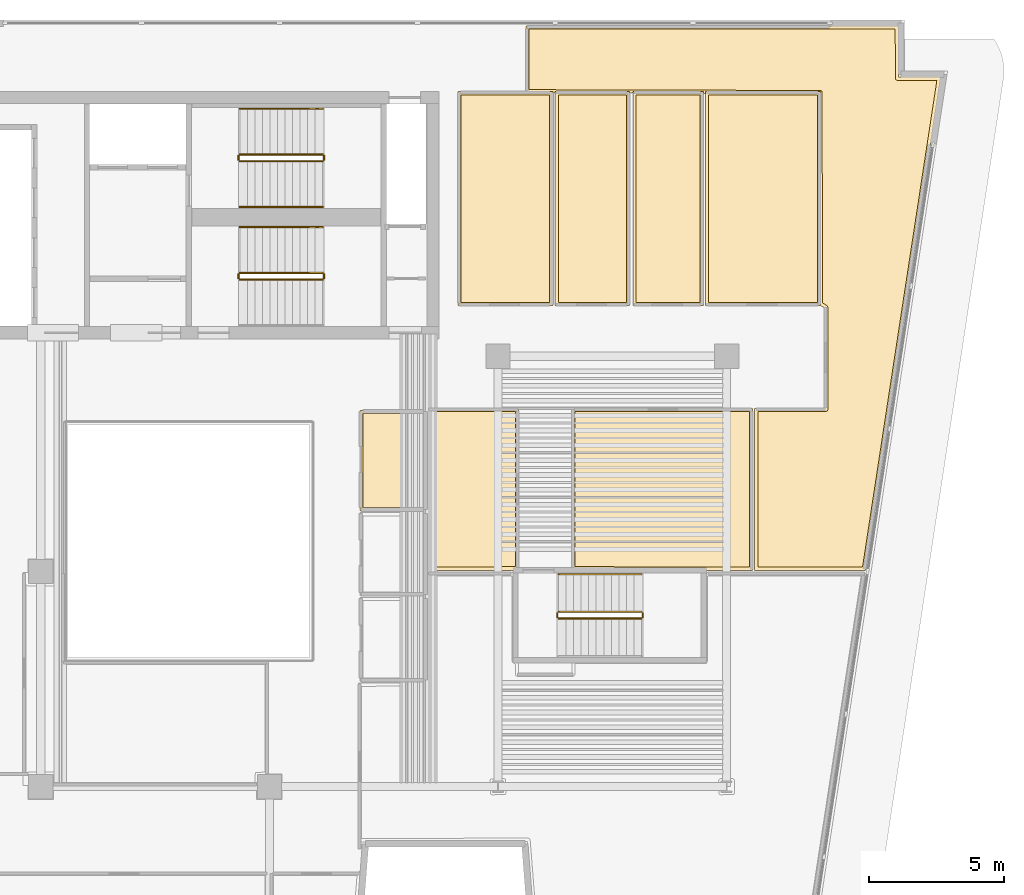
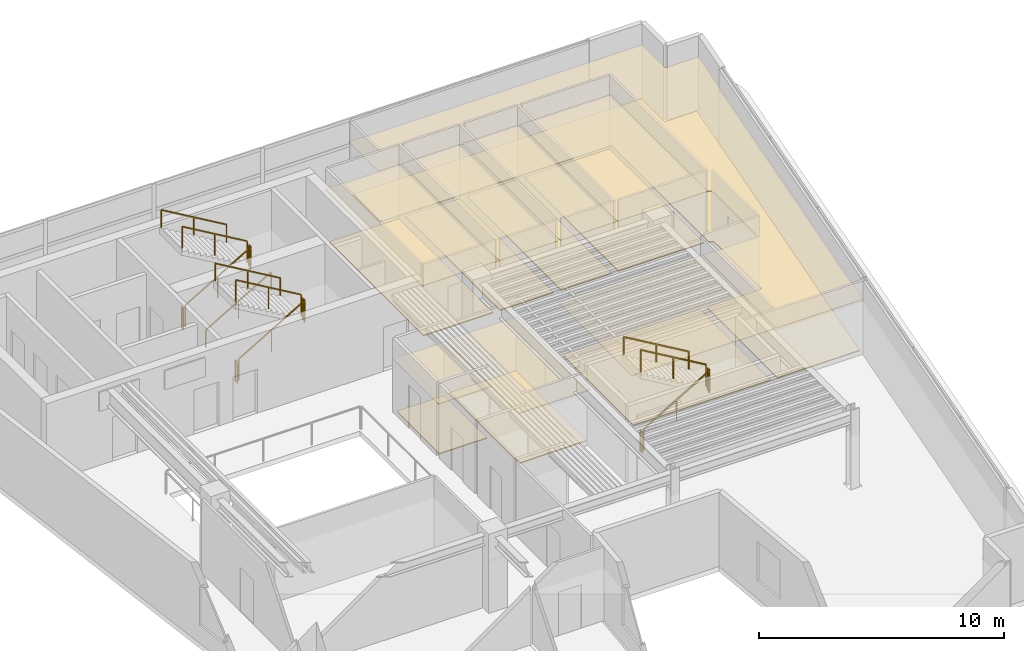
# One storey, part 8 of 8: 16 coverings, 16 railings.
"""IFC4 building model written with IfcOpenShell, lengths in metres."""

import ifcopenshell
import ifcopenshell.guid

model = None  # the IFC model being written
_history = None  # IfcOwnerHistory: only IFC2X3 demands one
_inside = {}  # id of a spatial element -> (the spatial element, [elements in it])
_under = {}  # id of a project, library or spatial element -> (it, [spatial elements below it])
_declared = {}  # id of a project -> (the project, [libraries it declares])
_typed = {}  # id of a type object -> (the type object, [elements of that type])
_made_of = {}  # id of a material, layer set ... -> (it, [elements and type objects made of it])


def new_model(schema):
    """Start an empty IFC model of exactly this schema.

    Asked for "IFC4X3", IfcOpenShell would pick the latest addendum, in which some entities
    have other attributes; the version numbers below select the first issue.
    IFC2X3 requires an IfcOwnerHistory on every rooted entity: one is made here for all.
    """
    global model, _history
    if schema == "IFC4X3":
        model = ifcopenshell.file(schema_version=(4, 3, 0, 0))
    else:
        model = ifcopenshell.file(schema=schema)
    _inside.clear()
    _under.clear()
    _declared.clear()
    _typed.clear()
    _made_of.clear()
    _history = None
    if model.schema == "IFC2X3":
        org = make("IfcOrganization", Name="unknown")
        user = make(
            "IfcPersonAndOrganization",
            ThePerson=make("IfcPerson", FamilyName="unknown"),
            TheOrganization=org,
        )
        app = make(
            "IfcApplication",
            ApplicationDeveloper=org,
            Version="unknown",
            ApplicationFullName="unknown",
            ApplicationIdentifier="unknown",
        )
        _history = make(
            "IfcOwnerHistory",
            OwningUser=user,
            OwningApplication=app,
            ChangeAction="ADDED",
            CreationDate=0,
        )
    return model


def make(cls, **values):
    """One entity of the class cls with the attributes given. An attribute that is None is left unset."""
    return model.create_entity(
        cls, **{name: value for name, value in values.items() if value is not None}
    )


def rooted(cls, **values):
    """An entity with a GlobalId (a new one), such as an element, a storey or a relation."""
    return make(cls, GlobalId=ifcopenshell.guid.new(), OwnerHistory=_history, **values)


def si_unit(unit_type, name, prefix=None):
    """IfcSIUnit, for example si_unit("LENGTHUNIT", "METRE", prefix="MILLI")."""
    return make("IfcSIUnit", UnitType=unit_type, Prefix=prefix, Name=name)


def assignment(units):
    """IfcUnitAssignment: the units of a project."""
    return None if units is None else make("IfcUnitAssignment", Units=units)


def point(xyz):
    """IfcCartesianPoint."""
    return None if xyz is None else make("IfcCartesianPoint", Coordinates=xyz)


def direction(xyz):
    """IfcDirection."""
    return None if xyz is None else make("IfcDirection", DirectionRatios=xyz)


def frame(location, z_axis=None, x_axis=None):
    """IfcAxis2Placement3D, a coordinate frame: its origin and axes. An axis left out is left unset."""
    return make(
        "IfcAxis2Placement3D",
        Location=point(location),
        Axis=direction(z_axis),
        RefDirection=direction(x_axis),
    )


def frame_2d(location, x_axis=None):
    """IfcAxis2Placement2D, a coordinate frame in the plane: its origin and x axis."""
    return make(
        "IfcAxis2Placement2D", Location=point(location), RefDirection=direction(x_axis)
    )


def origin():
    """The frame at (0, 0, 0) with its axes left unset."""
    return frame((0.0, 0.0, 0.0))


def origin_2d():
    """The frame at (0, 0) in the plane with its x axis left unset."""
    return frame_2d((0.0, 0.0))


def place(relative_to, where):
    """IfcLocalPlacement: puts the frame where relative to a parent placement (None: the world)."""
    return make(
        "IfcLocalPlacement", PlacementRelTo=relative_to, RelativePlacement=where
    )


def context(
    kind, dimensions, precision=None, world=None, true_north=None, identifier=None
):
    """IfcGeometricRepresentationContext, for example the 3D "Model" context."""
    return make(
        "IfcGeometricRepresentationContext",
        ContextIdentifier=identifier,
        ContextType=kind,
        CoordinateSpaceDimension=dimensions,
        Precision=precision,
        WorldCoordinateSystem=world,
        TrueNorth=true_north,
    )


def subcontext(parent, identifier, kind, view, scale=None):
    """IfcGeometricRepresentationSubContext, for example "Body" below "Model"."""
    return make(
        "IfcGeometricRepresentationSubContext",
        ContextIdentifier=identifier,
        ContextType=kind,
        ParentContext=parent,
        TargetScale=scale,
        TargetView=view,
    )


def project(units=None, contexts=None):
    """IfcProject with its units and contexts."""
    return rooted(
        "IfcProject",
        Name="project",
        RepresentationContexts=contexts,
        UnitsInContext=assignment(units),
    )


def spatial(cls, under=None, at=None, **own):
    """A site, building, storey or space (cls), placed at a placement, below another one or the project."""
    s = rooted(cls, ObjectPlacement=at, **own)
    if under is not None:
        _under.setdefault(under.id(), (under, []))[1].append(s)
    return s


def polyline(points):
    """IfcPolyline through the points."""
    return make("IfcPolyline", Points=[point(p) for p in points])


def profile(cls, at=None, kind="AREA", **sizes):
    """A parametric profile (cls). Its sizes go by their IFC names, for example OverallWidth=200.0."""
    return make(cls, ProfileType=kind, Position=at, **sizes)


def rectangle(**sizes):
    """IfcRectangleProfileDef."""
    return profile("IfcRectangleProfileDef", **sizes)


def outline(outer, holes=None, kind="AREA"):
    """IfcArbitraryClosedProfileDef: a profile drawn as a closed curve; with holes, ...WithVoids."""
    if holes is None:
        return make("IfcArbitraryClosedProfileDef", ProfileType=kind, OuterCurve=outer)
    return make(
        "IfcArbitraryProfileDefWithVoids",
        ProfileType=kind,
        OuterCurve=outer,
        InnerCurves=holes,
    )


def extrude(swept, where, along, depth):
    """IfcExtrudedAreaSolid: the profile swept, set in the frame where, extruded along a direction by depth."""
    return make(
        "IfcExtrudedAreaSolid",
        SweptArea=swept,
        Position=where,
        ExtrudedDirection=direction(along),
        Depth=depth,
    )


def shape(context_of_items, identifier, shape_type, items):
    """IfcShapeRepresentation: the items that make up one representation, for example the "Body"."""
    return make(
        "IfcShapeRepresentation",
        ContextOfItems=context_of_items,
        RepresentationIdentifier=identifier,
        RepresentationType=shape_type,
        Items=items,
    )


def material(Name=None, Category=None):
    """IfcMaterial."""
    return make("IfcMaterial", Name=Name, Category=Category)


def layer(
    of_material, thickness, ventilated=None, Name=None, Category=None, Priority=None
):
    """IfcMaterialLayer: one layer of a wall or slab, of a material (None: an air gap)."""
    return make(
        "IfcMaterialLayer",
        Material=of_material,
        LayerThickness=thickness,
        IsVentilated=ventilated,
        Name=Name,
        Category=Category,
        Priority=Priority,
    )


def layer_set(layers, Name=None):
    """IfcMaterialLayerSet."""
    return make("IfcMaterialLayerSet", MaterialLayers=layers, LayerSetName=Name)


def made_of(thing, what):
    """Note that an element or type object is made of a material, layer set ...; save() writes the relation."""
    if what is not None:
        _made_of.setdefault(what.id(), (what, []))[1].append(thing)
    return thing


def type_object(cls, material=None, **own):
    """A type object (cls), such as IfcWallType, which elements share."""
    return made_of(rooted(cls, **own), material)


def element(
    cls,
    number,
    at=None,
    inside=None,
    cuts=None,
    type_object=None,
    material=None,
    context=None,
    identifier="Body",
    shape_type=None,
    held_by="IfcProductDefinitionShape",
    body=None,
    shapes=None,
    **own,
):
    """One element of the class cls, such as IfcWall. Its Tag is "e" and its number.

    at: its placement. inside: the storey or other place that contains it. cuts: it is an
    opening in that element (IfcRelVoidsElement). A single representation is given by context,
    identifier, shape_type and body (its items); several are given by shapes. held_by: the class
    of the entity that holds the representations. save() writes the other relations.
    """
    e = rooted(cls, Tag="e%d" % number, ObjectPlacement=at, **own)
    if body is not None:
        shapes = [shape(context, identifier, shape_type, body)]
    if shapes is not None:
        e.Representation = make(held_by, Representations=shapes)
    if inside is not None:
        _inside.setdefault(inside.id(), (inside, []))[1].append(e)
    if cuts is not None:
        rooted(
            "IfcRelVoidsElement", RelatingBuildingElement=cuts, RelatedOpeningElement=e
        )
    if type_object is not None:
        _typed.setdefault(type_object.id(), (type_object, []))[1].append(e)
    return made_of(e, material)


def aggregate(whole, parts):
    """IfcRelAggregates: a whole, such as a stair, and the parts it consists of."""
    return rooted("IfcRelAggregates", RelatingObject=whole, RelatedObjects=parts)


def save(model, path):
    """Write the relations noted so far, then the file.

    IfcRelAggregates (storeys below a building ...), IfcRelContainedInSpatialStructure (elements
    in a storey), IfcRelDefinesByType, IfcRelAssociatesMaterial and IfcRelDeclares: one each for
    every whole, place, type object, material and project.
    """
    for whole, parts in _under.values():
        aggregate(whole, parts)
    for where, things in _inside.values():
        rooted(
            "IfcRelContainedInSpatialStructure",
            RelatedElements=things,
            RelatingStructure=where,
        )
    for kind, things in _typed.values():
        rooted("IfcRelDefinesByType", RelatedObjects=things, RelatingType=kind)
    for what, things in _made_of.values():
        rooted("IfcRelAssociatesMaterial", RelatedObjects=things, RelatingMaterial=what)
    for by, libraries in _declared.values():
        rooted("IfcRelDeclares", RelatingContext=by, RelatedDefinitions=libraries)
    model.write(path)


model = new_model("IFC4")

# Units and contexts
model_context = context("Model", 3, precision=1e-05, world=origin(), true_north=direction((0.0, 1.0)))
body_context = subcontext(model_context, "Body", "Model", "MODEL_VIEW")
ifc_project = project(units=[si_unit("LENGTHUNIT", "METRE"), si_unit("AREAUNIT", "SQUARE_METRE"), si_unit("VOLUMEUNIT", "CUBIC_METRE"), si_unit("PLANEANGLEUNIT", "RADIAN"), si_unit("MASSUNIT", "GRAM", prefix="KILO")], contexts=[model_context])

# Site, building, storey
site_placement = place(None, origin())
site = spatial("IfcSite", under=ifc_project, at=site_placement, CompositionType="ELEMENT")
building_placement = place(site_placement, origin())
building = spatial("IfcBuilding", under=site, at=building_placement, Name="Caeloran Harvest Quay", CompositionType="ELEMENT")
storey_placement = place(building_placement, frame((0.0, 0.0, 235.10009765625)))
storey = spatial("IfcBuildingStorey", under=building, at=storey_placement, Name="L56", CompositionType="ELEMENT", Elevation=235.10009765625)

# Coverings
ifc_material_1 = material(Name="Perforated Mineral-Fibre Acoustic Ceiling Tile", Category="ceiling")
ifc_layer_1 = layer(ifc_material_1, 0.0400390625, Name="Perforated Mineral-Fibre Acoustic Ceiling Tile")
ifc_layer_set_1 = layer_set([ifc_layer_1], Name="Perforated Mineral-Fibre Acoustic Ceiling Tile")
covering_type_1 = type_object("IfcCoveringType", Name="COV-CEILING-ACOUSTIC", PredefinedType="CEILING", material=ifc_layer_set_1)
covering_1_placement = place(storey_placement, frame((0.0, 0.0, 2.599853515625)))
element("IfcCovering", 1, at=covering_1_placement, inside=storey, type_object=covering_type_1, Name="L56 Bioinformatics Briefing Lounge Acoustic Ceiling", PredefinedType="CEILING", context=body_context, shape_type="SweptSolid", body=[
    extrude(outline(polyline([(27.5400390625, 40.840087890625), (27.5400390625, 32.8798828125), (24.010009765625, 32.8798828125), (24.010009765625, 40.840087890625), (27.5400390625, 40.840087890625)])), origin(), (0.0, 0.0, 1.0), 0.0400390625),
])
covering_2_placement = place(storey_placement, frame((0.0, 0.0, 2.599853515625)))
element("IfcCovering", 2, at=covering_2_placement, inside=storey, type_object=covering_type_1, Name="L56 Seed Imaging Laboratory Acoustic Ceiling", PredefinedType="CEILING", context=body_context, shape_type="SweptSolid", body=[
    extrude(outline(polyline([(30.389892578125, 40.840087890625), (30.389892578125, 32.8798828125), (27.6201171875, 32.8798828125), (27.6201171875, 40.840087890625), (30.389892578125, 40.840087890625)])), origin(), (0.0, 0.0, 1.0), 0.0400390625),
])
covering_3_placement = place(storey_placement, frame((0.0, 0.0, 2.599853515625)))
element("IfcCovering", 3, at=covering_3_placement, inside=storey, type_object=covering_type_1, Name="L56 Genomics Seminar West Room Acoustic Ceiling", PredefinedType="CEILING", context=body_context, shape_type="SweptSolid", body=[
    extrude(outline(polyline([(33.1298828125, 40.840087890625), (33.1298828125, 32.8798828125), (30.510009765625, 32.8798828125), (30.510009765625, 40.840087890625), (33.1298828125, 40.840087890625)])), origin(), (0.0, 0.0, 1.0), 0.0400390625),
])
covering_4_placement = place(storey_placement, frame((0.0, 0.0, 2.599853515625)))
element("IfcCovering", 4, at=covering_4_placement, inside=storey, type_object=covering_type_1, Name="L56 Executive Archive East Studio Acoustic Ceiling", PredefinedType="CEILING", context=body_context, shape_type="SweptSolid", body=[
    extrude(outline(polyline([(37.489990234375, 40.840087890625), (37.489990234375, 32.8798828125), (33.2099609375, 32.8798828125), (33.2099609375, 40.840087890625), (37.489990234375, 40.840087890625)])), origin(), (0.0, 0.0, 1.0), 0.0400390625),
])
covering_5_placement = place(storey_placement, frame((0.0, 0.0, 2.599853515625)))
element("IfcCovering", 5, at=covering_5_placement, inside=storey, type_object=covering_type_1, Name="L56 Male Washroom WC Acoustic Ceiling", PredefinedType="CEILING", context=body_context, shape_type="SweptSolid", body=[
    extrude(outline(polyline([(22.840087890625, 28.989990234375), (22.840087890625, 25.260009765625), (20.360107421875, 25.260009765625), (20.360107421875, 28.989990234375), (22.840087890625, 28.989990234375)])), origin(), (0.0, 0.0, 1.0), 0.0400390625),
])
covering_6_placement = place(storey_placement, frame((0.0, 0.0, 2.599853515625)))
element("IfcCovering", 6, at=covering_6_placement, inside=storey, type_object=covering_type_1, Name="Terrace View Conference Room Acoustic Ceiling", PredefinedType="CEILING", context=body_context, shape_type="SweptSolid", body=[
    extrude(outline(polyline([(26.13720703125, 23.06005859375), (26.1298828125, 23.0400390625), (22.8701171875, 23.0400390625), (22.8701171875, 29.06005859375), (26.260009765625, 29.06005859375), (26.260009765625, 23.06005859375), (26.13720703125, 23.06005859375)])), origin(), (0.0, 0.0, 1.0), 0.0400390625),
])
covering_7_placement = place(storey_placement, frame((0.0, 0.0, 2.599853515625)))
element("IfcCovering", 7, at=covering_7_placement, inside=storey, type_object=covering_type_1, Name="Studio Pin-Up Lounge Acoustic Ceiling", PredefinedType="CEILING", context=body_context, shape_type="SweptSolid", body=[
    extrude(outline(polyline([(33.162841796875, 23.06005859375), (28.239990234375, 23.06005859375), (28.239990234375, 29.06005859375), (34.9599609375, 29.06005859375), (34.9599609375, 23.0400390625), (33.170166015625, 23.0400390625), (33.162841796875, 23.06005859375)])), origin(), (0.0, 0.0, 1.0), 0.0400390625),
])
covering_8_placement = place(storey_placement, frame((0.0, 0.0, 2.599853515625)))
element("IfcCovering", 8, at=covering_8_placement, inside=storey, type_object=covering_type_1, Name="Sawtooth Terrace Design Studio Office 7 Acoustic Ceiling", PredefinedType="CEILING", context=body_context, shape_type="SweptSolid", body=[
    extrude(outline(polyline([(26.5400390625, 43.280029296875), (40.3798828125, 43.280029296875), (40.3798828125, 41.3798828125), (41.95361328125, 41.3798828125), (39.151611328125, 23.0400390625), (35.0400390625, 23.0400390625), (35.0400390625, 29.06005859375), (37.639892578125, 29.06005859375), (37.639892578125, 32.79931640625), (37.43994140625, 32.909912109375), (37.43994140625, 40.760009765625), (26.5400390625, 40.7900390625), (26.5400390625, 43.280029296875)])), origin(), (0.0, 0.0, 1.0), 0.0400390625),
])
ifc_material_2 = material(Name="Calcium-Sulphate Raised Access Floor and Terrazzo Finish", Category="flooring")
ifc_layer_2 = layer(ifc_material_2, 0.050048828125, Name="Calcium-Sulphate Raised Access Floor and Terrazzo Finish")
ifc_layer_set_2 = layer_set([ifc_layer_2], Name="Calcium-Sulphate Raised Access Floor and Terrazzo Finish")
covering_type_2 = type_object("IfcCoveringType", Name="COV-FLOOR-RAISED", PredefinedType="FLOORING", material=ifc_layer_set_2)
covering_9_placement = place(storey_placement, origin())
element("IfcCovering", 9, at=covering_9_placement, inside=storey, type_object=covering_type_2, Name="L56 Bioinformatics Briefing Lounge Raised Finish Flooring", PredefinedType="FLOORING", context=body_context, shape_type="SweptSolid", body=[
    extrude(outline(polyline([(27.419921875, 40.719970703125), (27.419921875, 33.0), (24.1298828125, 33.0), (24.1298828125, 40.719970703125), (27.419921875, 40.719970703125)])), origin(), (0.0, 0.0, 1.0), 0.0498046875),
])
covering_10_placement = place(storey_placement, origin())
element("IfcCovering", 10, at=covering_10_placement, inside=storey, type_object=covering_type_2, Name="L56 Seed Imaging Laboratory Raised Finish Flooring", PredefinedType="FLOORING", context=body_context, shape_type="SweptSolid", body=[
    extrude(outline(polyline([(30.27001953125, 40.719970703125), (30.27001953125, 33.0), (27.739990234375, 33.0), (27.739990234375, 40.719970703125), (30.27001953125, 40.719970703125)])), origin(), (0.0, 0.0, 1.0), 0.0498046875),
])
covering_11_placement = place(storey_placement, origin())
element("IfcCovering", 11, at=covering_11_placement, inside=storey, type_object=covering_type_2, Name="L56 Genomics Seminar West Room Raised Finish Flooring", PredefinedType="FLOORING", context=body_context, shape_type="SweptSolid", body=[
    extrude(outline(polyline([(33.010009765625, 40.719970703125), (33.010009765625, 33.0), (30.6298828125, 33.0), (30.6298828125, 40.719970703125), (33.010009765625, 40.719970703125)])), origin(), (0.0, 0.0, 1.0), 0.0498046875),
])
covering_12_placement = place(storey_placement, origin())
element("IfcCovering", 12, at=covering_12_placement, inside=storey, type_object=covering_type_2, Name="L56 Executive Archive East Studio Raised Finish Flooring", PredefinedType="FLOORING", context=body_context, shape_type="SweptSolid", body=[
    extrude(outline(polyline([(37.3701171875, 40.719970703125), (37.3701171875, 33.0), (33.330078125, 33.0), (33.330078125, 40.719970703125), (37.3701171875, 40.719970703125)])), origin(), (0.0, 0.0, 1.0), 0.0498046875),
])
covering_13_placement = place(storey_placement, origin())
element("IfcCovering", 13, at=covering_13_placement, inside=storey, type_object=covering_type_2, Name="L56 Male Washroom WC Raised Finish Flooring", PredefinedType="FLOORING", context=body_context, shape_type="SweptSolid", body=[
    extrude(outline(polyline([(22.719970703125, 28.8701171875), (22.719970703125, 25.3798828125), (20.47998046875, 25.3798828125), (20.47998046875, 28.8701171875), (22.719970703125, 28.8701171875)])), origin(), (0.0, 0.0, 1.0), 0.0498046875),
])
covering_14_placement = place(storey_placement, origin())
element("IfcCovering", 14, at=covering_14_placement, inside=storey, type_object=covering_type_2, Name="Terrace View Conference Room Raised Finish Flooring", PredefinedType="FLOORING", context=body_context, shape_type="SweptSolid", body=[
    extrude(outline(polyline([(26.139892578125, 23.179931640625), (22.989990234375, 23.159912109375), (22.989990234375, 28.93994140625), (26.139892578125, 28.93994140625), (26.139892578125, 23.179931640625)])), origin(), (0.0, 0.0, 1.0), 0.0498046875),
])
covering_15_placement = place(storey_placement, origin())
element("IfcCovering", 15, at=covering_15_placement, inside=storey, type_object=covering_type_2, Name="Studio Pin-Up Lounge Raised Finish Flooring", PredefinedType="FLOORING", context=body_context, shape_type="SweptSolid", body=[
    extrude(outline(polyline([(34.840087890625, 23.159912109375), (28.360107421875, 23.179931640625), (28.360107421875, 28.93994140625), (34.840087890625, 28.93994140625), (34.840087890625, 23.159912109375)])), origin(), (0.0, 0.0, 1.0), 0.0498046875),
])
covering_16_placement = place(storey_placement, origin())
element("IfcCovering", 16, at=covering_16_placement, inside=storey, type_object=covering_type_2, Name="Sawtooth Terrace Design Studio Office 7 Raised Finish Flooring", PredefinedType="FLOORING", context=body_context, shape_type="SweptSolid", body=[
    extrude(outline(polyline([(26.659912109375, 43.159912109375), (40.260009765625, 43.159912109375), (40.2783203125, 41.289306640625), (40.340087890625, 41.260009765625), (41.813720703125, 41.260009765625), (39.048583984375, 23.159912109375), (35.159912109375, 23.159912109375), (35.159912109375, 28.93994140625), (37.679931640625, 28.93994140625), (37.736572265625, 28.96337890625), (37.759521484375, 29.01220703125), (37.759521484375, 32.830810546875), (37.72509765625, 32.888916015625), (37.56005859375, 32.980712890625), (37.546630859375, 40.844482421875), (37.480224609375, 40.8798828125), (26.659912109375, 40.909912109375), (26.659912109375, 43.159912109375)])), origin(), (0.0, 0.0, 1.0), 0.0498046875),
])

# Railings
ifc_material_3 = material(Name="Painted Steel Baluster and Top-Rail Stair Guard", Category="steel")
ifc_layer_3 = layer(ifc_material_3, 0.050048828125, Name="Painted Steel Baluster and Top-Rail Stair Guard")
ifc_layer_set_3 = layer_set([ifc_layer_3], Name="Painted Steel Baluster and Top-Rail Stair Guard")
railing_type_1 = type_object("IfcRailingType", Name="STAIR-GUARD-1100", PredefinedType="GUARDRAIL", material=ifc_layer_set_3)
railing_1_placement = place(storey_placement, frame((15.89990234375, 38.25, 0.16455078125)))
element("IfcRailing", 17, at=railing_1_placement, inside=storey, type_object=railing_type_1, Name="L56 ST-C1 stair guard 1", PredefinedType="GUARDRAIL", context=body_context, shape_type="SweptSolid", body=[
    extrude(rectangle(XDim=0.048095703125, YDim=0.048095703125, at=origin_2d()), frame((0.0, 0.0, 1.076171875), z_axis=(0.862118610829, 0.0, 0.506706523406), x_axis=(0.0, 1.0, 0.0)), (0.0, 0.0, 1.0), 3.57275390625),
    extrude(rectangle(XDim=0.0419921875, YDim=0.0419921875, at=origin_2d()), origin(), (0.0, 0.0, 1.0), 1.052001953125),
    extrude(rectangle(XDim=0.0419921875, YDim=0.0419921875, at=origin_2d()), frame((1.5400390625, 0.0, 0.9052734375)), (0.0, 0.0, 1.0), 1.052001953125),
    extrude(rectangle(XDim=0.0419921875, YDim=0.0419921875, at=origin_2d()), frame((3.080078125, 0.0, 1.810302734375)), (0.0, 0.0, 1.0), 1.052001953125),
])
railing_2_placement = place(storey_placement, frame((19.030029296875, 38.300048828125, 1.974853515625)))
element("IfcRailing", 18, at=railing_2_placement, inside=storey, type_object=railing_type_1, Name="L56 ST-C1 stair guard 2", PredefinedType="GUARDRAIL", context=body_context, shape_type="SweptSolid", body=[
    extrude(rectangle(XDim=0.048095703125, YDim=0.048095703125, at=origin_2d()), frame((0.0, 0.0, 1.076171875), z_axis=(0.0, 1.0, 0.0), x_axis=(-1.0, 0.0, 0.0)), (0.0, 0.0, 1.0), 0.14990234375),
    extrude(rectangle(XDim=0.0419921875, YDim=0.0419921875, at=origin_2d()), origin(), (0.0, 0.0, 1.0), 1.052001953125),
    extrude(rectangle(XDim=0.0419921875, YDim=0.0419921875, at=origin_2d()), frame((0.0, 0.14990234375, 0.0)), (0.0, 0.0, 1.0), 1.052001953125),
])
railing_3_placement = place(storey_placement, frame((18.97998046875, 38.5, 2.139404296875)))
element("IfcRailing", 19, at=railing_3_placement, inside=storey, type_object=railing_type_1, Name="L56 ST-C1 stair guard 3", PredefinedType="GUARDRAIL", context=body_context, shape_type="SweptSolid", body=[
    extrude(rectangle(XDim=0.048095703125, YDim=0.048095703125, at=origin_2d()), frame((0.0, 0.0, 1.076171875), z_axis=(-0.862088758681, 0.0, 0.506757310905), x_axis=(0.0, -1.0, 0.0)), (0.0, 0.0, 1.0), 3.57275390625),
    extrude(rectangle(XDim=0.0419921875, YDim=0.0419921875, at=origin_2d()), origin(), (0.0, 0.0, 1.0), 1.052001953125),
    extrude(rectangle(XDim=0.0419921875, YDim=0.0419921875, at=origin_2d()), frame((-1.5400390625, 0.0, 0.9052734375)), (0.0, 0.0, 1.0), 1.052001953125),
    extrude(rectangle(XDim=0.0419921875, YDim=0.0419921875, at=origin_2d()), frame((-3.080078125, 0.0, 1.810546875)), (0.0, 0.0, 1.0), 1.052001953125),
])
railing_4_placement = place(storey_placement, frame((15.85009765625, 38.300048828125, 0.0)))
element("IfcRailing", 20, at=railing_4_placement, inside=storey, type_object=railing_type_1, Name="L56 ST-C1 stair guard 4", PredefinedType="GUARDRAIL", context=body_context, shape_type="SweptSolid", body=[
    extrude(rectangle(XDim=0.048095703125, YDim=0.048095703125, at=origin_2d()), frame((0.0, 0.0, 1.076171875), z_axis=(0.0, 1.0, 0.0), x_axis=(-1.0, 0.0, 0.0)), (0.0, 0.0, 1.0), 0.14990234375),
    extrude(rectangle(XDim=0.0419921875, YDim=0.0419921875, at=origin_2d()), origin(), (0.0, 0.0, 1.0), 1.052001953125),
    extrude(rectangle(XDim=0.0419921875, YDim=0.0419921875, at=origin_2d()), frame((0.0, 0.14990234375, 0.0)), (0.0, 0.0, 1.0), 1.052001953125),
])
railing_5_placement = place(storey_placement, frame((15.89990234375, 33.85009765625, 0.16455078125)))
element("IfcRailing", 21, at=railing_5_placement, inside=storey, type_object=railing_type_1, Name="L56 ST-C2 stair guard 1", PredefinedType="GUARDRAIL", context=body_context, shape_type="SweptSolid", body=[
    extrude(rectangle(XDim=0.048095703125, YDim=0.048095703125, at=origin_2d()), frame((0.0, 0.0, 1.076171875), z_axis=(0.862118610829, 0.0, 0.506706523406), x_axis=(0.0, 1.0, 0.0)), (0.0, 0.0, 1.0), 3.57275390625),
    extrude(rectangle(XDim=0.0419921875, YDim=0.0419921875, at=origin_2d()), origin(), (0.0, 0.0, 1.0), 1.052001953125),
    extrude(rectangle(XDim=0.0419921875, YDim=0.0419921875, at=origin_2d()), frame((1.5400390625, 0.0, 0.9052734375)), (0.0, 0.0, 1.0), 1.052001953125),
    extrude(rectangle(XDim=0.0419921875, YDim=0.0419921875, at=origin_2d()), frame((3.080078125, 0.0, 1.810302734375)), (0.0, 0.0, 1.0), 1.052001953125),
])
railing_6_placement = place(storey_placement, frame((19.030029296875, 33.89990234375, 1.974853515625)))
element("IfcRailing", 22, at=railing_6_placement, inside=storey, type_object=railing_type_1, Name="L56 ST-C2 stair guard 2", PredefinedType="GUARDRAIL", context=body_context, shape_type="SweptSolid", body=[
    extrude(rectangle(XDim=0.048095703125, YDim=0.048095703125, at=origin_2d()), frame((0.0, 0.0, 1.076171875), z_axis=(0.0, 1.0, 0.0), x_axis=(-1.0, 0.0, 0.0)), (0.0, 0.0, 1.0), 0.150146484375),
    extrude(rectangle(XDim=0.0419921875, YDim=0.0419921875, at=origin_2d()), origin(), (0.0, 0.0, 1.0), 1.052001953125),
    extrude(rectangle(XDim=0.0419921875, YDim=0.0419921875, at=origin_2d()), frame((0.0, 0.150146484375, 0.0)), (0.0, 0.0, 1.0), 1.052001953125),
])
railing_7_placement = place(storey_placement, frame((18.97998046875, 34.10009765625, 2.139404296875)))
element("IfcRailing", 23, at=railing_7_placement, inside=storey, type_object=railing_type_1, Name="L56 ST-C2 stair guard 3", PredefinedType="GUARDRAIL", context=body_context, shape_type="SweptSolid", body=[
    extrude(rectangle(XDim=0.048095703125, YDim=0.048095703125, at=origin_2d()), frame((0.0, 0.0, 1.076171875), z_axis=(-0.862088758681, 0.0, 0.506757310905), x_axis=(0.0, -1.0, 0.0)), (0.0, 0.0, 1.0), 3.57275390625),
    extrude(rectangle(XDim=0.0419921875, YDim=0.0419921875, at=origin_2d()), origin(), (0.0, 0.0, 1.0), 1.052001953125),
    extrude(rectangle(XDim=0.0419921875, YDim=0.0419921875, at=origin_2d()), frame((-1.5400390625, 0.0, 0.9052734375)), (0.0, 0.0, 1.0), 1.052001953125),
    extrude(rectangle(XDim=0.0419921875, YDim=0.0419921875, at=origin_2d()), frame((-3.080078125, 0.0, 1.810546875)), (0.0, 0.0, 1.0), 1.052001953125),
])
railing_8_placement = place(storey_placement, frame((15.85009765625, 33.89990234375, 0.0)))
element("IfcRailing", 24, at=railing_8_placement, inside=storey, type_object=railing_type_1, Name="L56 ST-C2 stair guard 4", PredefinedType="GUARDRAIL", context=body_context, shape_type="SweptSolid", body=[
    extrude(rectangle(XDim=0.048095703125, YDim=0.048095703125, at=origin_2d()), frame((0.0, 0.0, 1.076171875), z_axis=(0.0, 1.0, 0.0), x_axis=(-1.0, 0.0, 0.0)), (0.0, 0.0, 1.0), 0.150146484375),
    extrude(rectangle(XDim=0.0419921875, YDim=0.0419921875, at=origin_2d()), origin(), (0.0, 0.0, 1.0), 1.052001953125),
    extrude(rectangle(XDim=0.0419921875, YDim=0.0419921875, at=origin_2d()), frame((0.0, 0.150146484375, 0.0)), (0.0, 0.0, 1.0), 1.052001953125),
])
railing_9_placement = place(storey_placement, frame((27.75, 21.25, 0.16455078125)))
element("IfcRailing", 25, at=railing_9_placement, inside=storey, type_object=railing_type_1, Name="L56 ST-W1 stair guard 1", PredefinedType="GUARDRAIL", context=body_context, shape_type="SweptSolid", body=[
    extrude(rectangle(XDim=0.048095703125, YDim=0.048095703125, at=origin_2d()), frame((0.0, 0.0, 1.076171875), z_axis=(0.862118610829, 0.0, 0.506706523406), x_axis=(0.0, 1.0, 0.0)), (0.0, 0.0, 1.0), 3.57275390625),
    extrude(rectangle(XDim=0.0419921875, YDim=0.0419921875, at=origin_2d()), origin(), (0.0, 0.0, 1.0), 1.052001953125),
    extrude(rectangle(XDim=0.0419921875, YDim=0.0419921875, at=origin_2d()), frame((1.5400390625, 0.0, 0.9052734375)), (0.0, 0.0, 1.0), 1.052001953125),
    extrude(rectangle(XDim=0.0419921875, YDim=0.0419921875, at=origin_2d()), frame((3.080078125, 0.0, 1.810302734375)), (0.0, 0.0, 1.0), 1.052001953125),
])
railing_10_placement = place(storey_placement, frame((30.8798828125, 21.300048828125, 1.974853515625)))
element("IfcRailing", 26, at=railing_10_placement, inside=storey, type_object=railing_type_1, Name="L56 ST-W1 stair guard 2", PredefinedType="GUARDRAIL", context=body_context, shape_type="SweptSolid", body=[
    extrude(rectangle(XDim=0.048095703125, YDim=0.048095703125, at=origin_2d()), frame((0.0, 0.0, 1.076171875), z_axis=(0.0, 1.0, 0.0), x_axis=(-1.0, 0.0, 0.0)), (0.0, 0.0, 1.0), 0.14990234375),
    extrude(rectangle(XDim=0.0419921875, YDim=0.0419921875, at=origin_2d()), origin(), (0.0, 0.0, 1.0), 1.052001953125),
    extrude(rectangle(XDim=0.0419921875, YDim=0.0419921875, at=origin_2d()), frame((0.0, 0.14990234375, 0.0)), (0.0, 0.0, 1.0), 1.052001953125),
])
railing_11_placement = place(storey_placement, frame((30.830078125, 21.5, 2.139404296875)))
element("IfcRailing", 27, at=railing_11_placement, inside=storey, type_object=railing_type_1, Name="L56 ST-W1 stair guard 3", PredefinedType="GUARDRAIL", context=body_context, shape_type="SweptSolid", body=[
    extrude(rectangle(XDim=0.048095703125, YDim=0.048095703125, at=origin_2d()), frame((0.0, 0.0, 1.076171875), z_axis=(-0.862088758681, 0.0, 0.506757310905), x_axis=(0.0, -1.0, 0.0)), (0.0, 0.0, 1.0), 3.57275390625),
    extrude(rectangle(XDim=0.0419921875, YDim=0.0419921875, at=origin_2d()), origin(), (0.0, 0.0, 1.0), 1.052001953125),
    extrude(rectangle(XDim=0.0419921875, YDim=0.0419921875, at=origin_2d()), frame((-1.5400390625, 0.0, 0.9052734375)), (0.0, 0.0, 1.0), 1.052001953125),
    extrude(rectangle(XDim=0.0419921875, YDim=0.0419921875, at=origin_2d()), frame((-3.080078125, 0.0, 1.810546875)), (0.0, 0.0, 1.0), 1.052001953125),
])
railing_12_placement = place(storey_placement, frame((27.699951171875, 21.300048828125, 0.0)))
element("IfcRailing", 28, at=railing_12_placement, inside=storey, type_object=railing_type_1, Name="L56 ST-W1 stair guard 4", PredefinedType="GUARDRAIL", context=body_context, shape_type="SweptSolid", body=[
    extrude(rectangle(XDim=0.048095703125, YDim=0.048095703125, at=origin_2d()), frame((0.0, 0.0, 1.076171875), z_axis=(0.0, 1.0, 0.0), x_axis=(-1.0, 0.0, 0.0)), (0.0, 0.0, 1.0), 0.14990234375),
    extrude(rectangle(XDim=0.0419921875, YDim=0.0419921875, at=origin_2d()), origin(), (0.0, 0.0, 1.0), 1.052001953125),
    extrude(rectangle(XDim=0.0419921875, YDim=0.0419921875, at=origin_2d()), frame((0.0, 0.14990234375, 0.0)), (0.0, 0.0, 1.0), 1.052001953125),
])
ifc_material_4 = material(Name="Brushed Stainless Steel Grade 304", Category="steel")
ifc_layer_4 = layer(ifc_material_4, 0.050048828125, Name="Brushed Stainless Steel Grade 304")
ifc_layer_set_4 = layer_set([ifc_layer_4], Name="Brushed Stainless Steel Grade 304")
railing_type_2 = type_object("IfcRailingType", Name="STAIR-HANDRAIL-900", PredefinedType="HANDRAIL", material=ifc_layer_set_4)
railing_13_placement = place(storey_placement, frame((15.89990234375, 36.550048828125, 0.16455078125)))
element("IfcRailing", 29, at=railing_13_placement, inside=storey, type_object=railing_type_2, Name="L56 ST-C1 stair handrail 1", PredefinedType="HANDRAIL", context=body_context, shape_type="SweptSolid", body=[
    extrude(rectangle(XDim=0.048095703125, YDim=0.048095703125, at=origin_2d()), frame((0.0, 0.0, 0.8759765625), z_axis=(0.862118610829, 0.0, 0.506706523406), x_axis=(0.0, 1.0, 0.0)), (0.0, 0.0, 1.0), 3.57275390625),
    extrude(rectangle(XDim=0.0419921875, YDim=0.0419921875, at=origin_2d()), origin(), (0.0, 0.0, 1.0), 0.851806640625),
    extrude(rectangle(XDim=0.0419921875, YDim=0.0419921875, at=origin_2d()), frame((1.5400390625, 0.0, 0.9052734375)), (0.0, 0.0, 1.0), 0.851806640625),
    extrude(rectangle(XDim=0.0419921875, YDim=0.0419921875, at=origin_2d()), frame((3.080078125, 0.0, 1.810302734375)), (0.0, 0.0, 1.0), 0.851806640625),
])
for number, where, name in (
    (30, (18.97998046875, 40.199951171875, 2.139404296875), "L56 ST-C1 stair handrail 2"),
    (31, (18.97998046875, 35.800048828125, 2.139404296875), "L56 ST-C2 stair handrail 2"),
    (32, (30.830078125, 22.89990234375, 2.139404296875), "L56 ST-W1 stair handrail 2"),
):
    element("IfcRailing", number, at=place(storey_placement, frame(where)), inside=storey, type_object=railing_type_2, Name=name, PredefinedType="HANDRAIL", context=body_context, shape_type="SweptSolid", body=[
        extrude(rectangle(XDim=0.048095703125, YDim=0.048095703125, at=origin_2d()), frame((0.0, 0.0, 0.8759765625), z_axis=(-0.862088758681, 0.0, 0.506757310905), x_axis=(0.0, -1.0, 0.0)), (0.0, 0.0, 1.0), 3.57275390625),
        extrude(rectangle(XDim=0.0419921875, YDim=0.0419921875, at=origin_2d()), origin(), (0.0, 0.0, 1.0), 0.851806640625),
        extrude(rectangle(XDim=0.0419921875, YDim=0.0419921875, at=origin_2d()), frame((-1.5400390625, 0.0, 0.9052734375)), (0.0, 0.0, 1.0), 0.851806640625),
        extrude(rectangle(XDim=0.0419921875, YDim=0.0419921875, at=origin_2d()), frame((-3.080078125, 0.0, 1.810546875)), (0.0, 0.0, 1.0), 0.851806640625),
    ])

save(model, "model.ifc")
